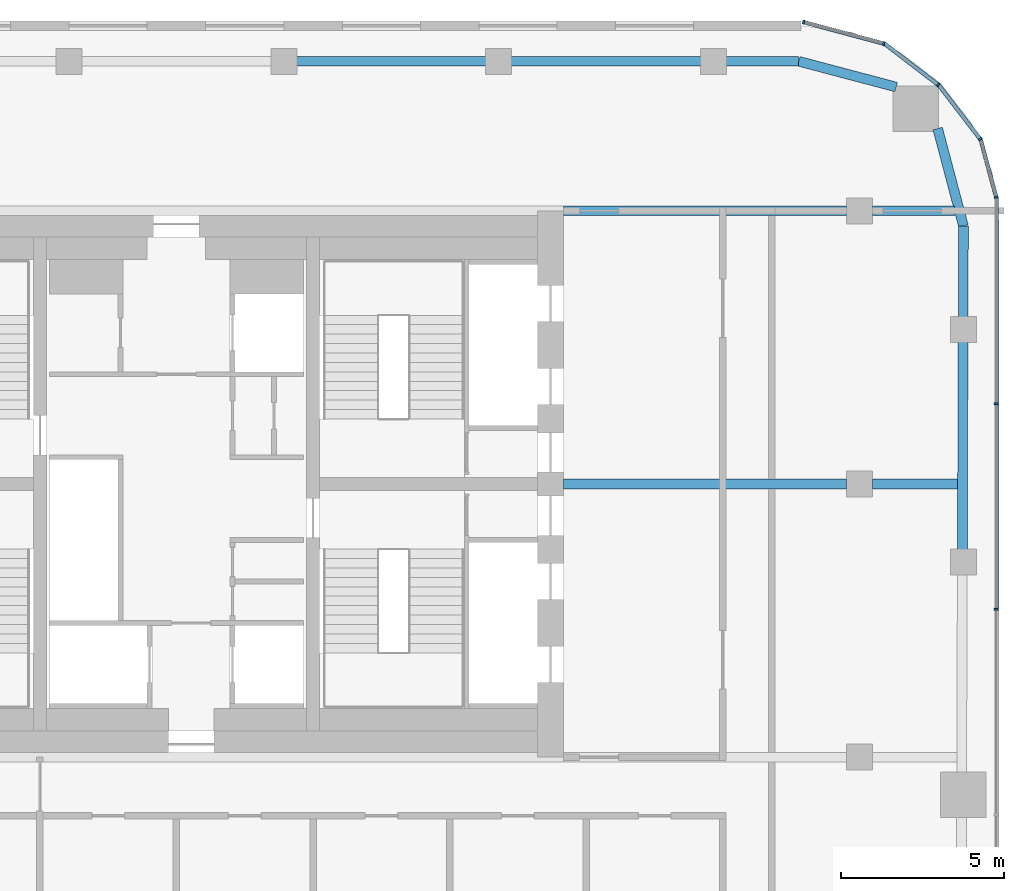
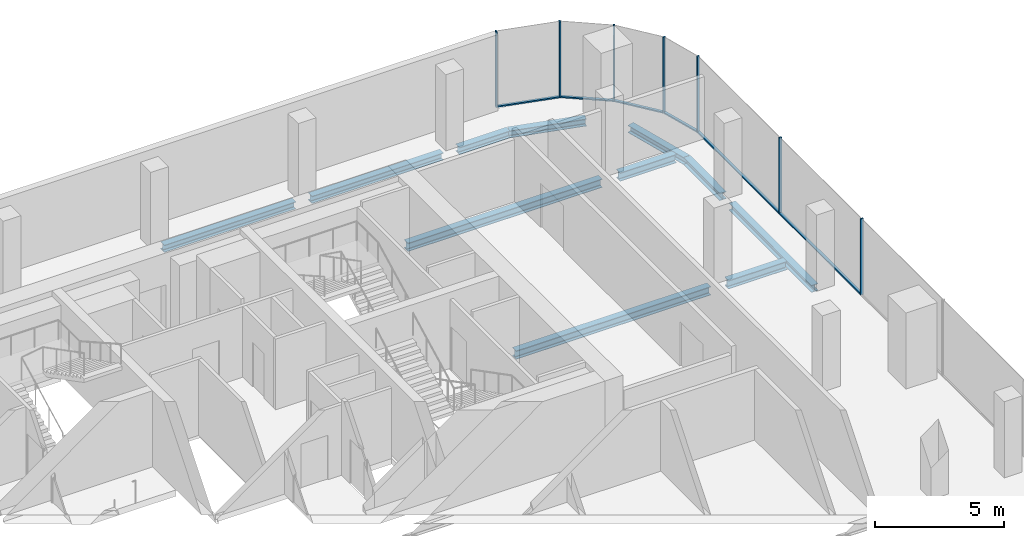
# One storey, part 11 of 20: 13 members, 11 beams, 5 elements without a shape of their own.
"""IFC4 building model written with IfcOpenShell, lengths in metres."""

from ifc_helpers import new_model, si_unit, direction, frame, origin, origin_2d, place, context, subcontext, project, spatial, rectangle, i_section, extrude, material, layer, layer_set, material_profile, profile_set, type_object, element, aggregate, save


model = new_model("IFC4")

# Units and contexts
model_context = context("Model", 3, precision=1e-05, world=origin(), true_north=direction((0.0, 1.0)))
body_context = subcontext(model_context, "Body", "Model", "MODEL_VIEW")
ifc_project = project(units=[si_unit("LENGTHUNIT", "METRE"), si_unit("AREAUNIT", "SQUARE_METRE"), si_unit("VOLUMEUNIT", "CUBIC_METRE"), si_unit("PLANEANGLEUNIT", "RADIAN"), si_unit("MASSUNIT", "GRAM", prefix="KILO")], contexts=[model_context])

# Site, building, storey
site_placement = place(None, origin())
site = spatial("IfcSite", under=ifc_project, at=site_placement, CompositionType="ELEMENT")
building_placement = place(site_placement, origin())
building = spatial("IfcBuilding", under=site, at=building_placement, Name="Marenta Gate Hotel Tower", CompositionType="ELEMENT")
storey_placement = place(building_placement, frame((0.0, 0.0, 216.5)))
storey = spatial("IfcBuildingStorey", under=building, at=storey_placement, Name="L50", CompositionType="ELEMENT", Elevation=216.5)

# Beams
ifc_material_1 = material(Name="Steel S355", Category="steel")
ifc_material_profile_1 = material_profile(ifc_material_1, i_section(OverallWidth=0.300048828125, OverallDepth=0.340087890625, WebThickness=0.011962890625, FlangeThickness=0.021484375, FilletRadius=0.027099609375, at=origin_2d()), Name="HEB 340")
ifc_profile_set_1 = profile_set([ifc_material_profile_1], Name="Steel S355")
beam_type_1 = type_object("IfcBeamType", Name="Edge beam HEB 340", PredefinedType="SPANDREL", material=ifc_profile_set_1)
for number, where, z_axis, x_axis, name in (
    (1, (3.661376953125, 21.39990234375, -0.429931640625), (1.0, 0.0, 0.0), (0.0, 1.0, 0.0), "L50-EB-17"),
    (2, (10.26416015625, 21.39990234375, -0.429931640625), (1.0, 0.0, 0.0), (0.0, 1.0, 0.0), "L50-EB-18"),
):
    element("IfcBeam", number, at=place(storey_placement, frame(where, z_axis=z_axis, x_axis=x_axis)), inside=storey, type_object=beam_type_1, Name=name, PredefinedType="SPANDREL", context=body_context, shape_type="SweptSolid", body=[
        extrude(i_section(OverallWidth=0.300048828125, OverallDepth=0.340087890625, WebThickness=0.011962890625, FlangeThickness=0.021484375, FilletRadius=0.027099609375, at=origin_2d()), origin(), (0.0, 0.0, 1.0), 5.8828125),
    ])
beam_1_placement = place(storey_placement, frame((16.866943359375, 21.39990234375, -0.429931640625), z_axis=(1.0, 0.0, 0.0), x_axis=(0.0, 1.0, 0.0)))
element("IfcBeam", 3, at=beam_1_placement, inside=storey, type_object=beam_type_1, Name="L50-EB-19", PredefinedType="SPANDREL", context=body_context, shape_type="SweptSolid", body=[
    extrude(i_section(OverallWidth=0.300048828125, OverallDepth=0.340087890625, WebThickness=0.011962890625, FlangeThickness=0.021484375, FilletRadius=0.027099609375, at=origin_2d()), origin(), (0.0, 0.0, 1.0), 2.267578125),
])
beam_2_placement = place(storey_placement, frame((19.134521484375, 21.39990234375, -0.429931640625), z_axis=(0.9667647815, -0.25566747398, 0.0), x_axis=(0.25566747398, 0.9667647815, 0.0)))
element("IfcBeam", 4, at=beam_2_placement, inside=storey, type_object=beam_type_1, Name="L50-EB-20", PredefinedType="SPANDREL", context=body_context, shape_type="SweptSolid", body=[
    extrude(i_section(OverallWidth=0.300048828125, OverallDepth=0.340087890625, WebThickness=0.011962890625, FlangeThickness=0.021484375, FilletRadius=0.027099609375, at=origin_2d()), origin(), (0.0, 0.0, 1.0), 3.1005859375),
])
beam_3_placement = place(storey_placement, frame((23.4072265625, 19.332275390625, -0.429931640625), z_axis=(0.255648013319, -0.966769927794, 0.0), x_axis=(0.966769927794, 0.255648013319, 0.0)))
element("IfcBeam", 5, at=beam_3_placement, inside=storey, type_object=beam_type_1, Name="L50-EB-21", PredefinedType="SPANDREL", context=body_context, shape_type="SweptSolid", body=[
    extrude(i_section(OverallWidth=0.300048828125, OverallDepth=0.340087890625, WebThickness=0.011962890625, FlangeThickness=0.021484375, FilletRadius=0.027099609375, at=origin_2d()), origin(), (0.0, 0.0, 1.0), 3.100830078125),
])
beam_4_placement = place(storey_placement, frame((24.199951171875, 16.33447265625, -0.429931640625), z_axis=(-0.003292020626, -0.999994581285, 0.0), x_axis=(0.999994581285, -0.003292020626, 0.0)))
element("IfcBeam", 6, at=beam_4_placement, inside=storey, type_object=beam_type_1, Name="L50-EB-22", PredefinedType="SPANDREL", context=body_context, shape_type="SweptSolid", body=[
    extrude(i_section(OverallWidth=0.300048828125, OverallDepth=0.340087890625, WebThickness=0.011962890625, FlangeThickness=0.021484375, FilletRadius=0.027099609375, at=origin_2d()), origin(), (0.0, 0.0, 1.0), 2.818115234375),
])
beam_5_placement = place(storey_placement, frame((24.188232421875, 12.79638671875, -0.429931640625), z_axis=(-0.00333963982, -0.999994423387, 0.0), x_axis=(0.999994423387, -0.00333963982, 0.0)))
element("IfcBeam", 7, at=beam_5_placement, inside=storey, type_object=beam_type_1, Name="L50-EB-23", PredefinedType="SPANDREL", context=body_context, shape_type="SweptSolid", body=[
    extrude(i_section(OverallWidth=0.300048828125, OverallDepth=0.340087890625, WebThickness=0.011962890625, FlangeThickness=0.021484375, FilletRadius=0.027099609375, at=origin_2d()), origin(), (0.0, 0.0, 1.0), 6.43310546875),
])
ifc_material_2 = material(Name="Steel S355", Category="steel")
ifc_material_profile_2 = material_profile(ifc_material_2, i_section(OverallWidth=0.300048828125, OverallDepth=0.39990234375, WebThickness=0.013427734375, FlangeThickness=0.02392578125, FilletRadius=0.027099609375, at=origin_2d()), Name="HEB 400")
ifc_profile_set_2 = profile_set([ifc_material_profile_2], Name="Steel S355")
beam_type_2 = type_object("IfcBeamType", Name="Girder HEB 400", PredefinedType="BEAM", material=ifc_profile_set_2)
beam_6_placement = place(storey_placement, frame((11.89990234375, 8.39990234375, -0.4599609375), z_axis=(1.0, 0.0, 0.0), x_axis=(0.0, 1.0, 0.0)))
element("IfcBeam", 8, at=beam_6_placement, inside=storey, type_object=beam_type_2, Name="L50-GD-27", PredefinedType="BEAM", context=body_context, shape_type="SweptSolid", body=[
    extrude(i_section(OverallWidth=0.300048828125, OverallDepth=0.39990234375, WebThickness=0.013427734375, FlangeThickness=0.02392578125, FilletRadius=0.027099609375, at=origin_2d()), origin(), (0.0, 0.0, 1.0), 8.7001953125),
])
beam_7_placement = place(storey_placement, frame((21.39990234375, 8.39990234375, -0.4599609375), z_axis=(1.0, 0.0, 0.0), x_axis=(0.0, 1.0, 0.0)))
element("IfcBeam", 9, at=beam_7_placement, inside=storey, type_object=beam_type_2, Name="L50-GD-28", PredefinedType="BEAM", context=body_context, shape_type="SweptSolid", body=[
    extrude(i_section(OverallWidth=0.300048828125, OverallDepth=0.39990234375, WebThickness=0.013427734375, FlangeThickness=0.02392578125, FilletRadius=0.027099609375, at=origin_2d()), origin(), (0.0, 0.0, 1.0), 2.623779296875),
])
beam_8_placement = place(storey_placement, frame((11.89990234375, 16.800048828125, -0.4599609375), z_axis=(1.0, 0.0, 0.0), x_axis=(0.0, 1.0, 0.0)))
element("IfcBeam", 10, at=beam_8_placement, inside=storey, type_object=beam_type_2, Name="L50-GD-32", PredefinedType="BEAM", context=body_context, shape_type="SweptSolid", body=[
    extrude(i_section(OverallWidth=0.300048828125, OverallDepth=0.39990234375, WebThickness=0.013427734375, FlangeThickness=0.02392578125, FilletRadius=0.027099609375, at=origin_2d()), origin(), (0.0, 0.0, 1.0), 8.7001953125),
])
beam_9_placement = place(storey_placement, frame((21.39990234375, 16.800048828125, -0.4599609375), z_axis=(1.0, 0.0, 0.0), x_axis=(0.0, 1.0, 0.0)))
element("IfcBeam", 11, at=beam_9_placement, inside=storey, type_object=beam_type_2, Name="L50-GD-33", PredefinedType="BEAM", context=body_context, shape_type="SweptSolid", body=[
    extrude(i_section(OverallWidth=0.300048828125, OverallDepth=0.39990234375, WebThickness=0.013427734375, FlangeThickness=0.02392578125, FilletRadius=0.027099609375, at=origin_2d()), origin(), (0.0, 0.0, 1.0), 2.521728515625),
])

# Curtain wall, members
ifc_material_3 = material(Name="Tinted insulated glass in bronze anodised frame", Category="glass")
ifc_layer = layer(ifc_material_3, 0.1201171875)
ifc_layer_set = layer_set([ifc_layer], Name="Tinted insulated glass in bronze anodised frame")
curtain_wall_type = type_object("IfcCurtainWallType", Name="Tower unitised curtain wall CW1", PredefinedType="NOTDEFINED", material=ifc_layer_set)
curtain_wall_1_placement = place(storey_placement, origin())
curtain_wall_1 = element("IfcCurtainWall", 12, at=curtain_wall_1_placement, inside=storey, type_object=curtain_wall_type, Name="CW1 run G11", PredefinedType="NOTDEFINED")
ifc_material_4 = material(Name="Bronze anodised aluminium", Category="aluminium")
ifc_material_profile_3 = material_profile(ifc_material_4, rectangle(XDim=0.1201171875, YDim=0.06005859375, at=origin_2d()), Name="Mullion CW1 60x120 bronze anodised aluminium")
ifc_profile_set_3 = profile_set([ifc_material_profile_3], Name="Bronze anodised aluminium")
member_type_1 = type_object("IfcMemberType", Name="Mullion CW1 60x120 bronze anodised aluminium", PredefinedType="MULLION", material=ifc_profile_set_3)
member_1_placement = place(storey_placement, frame((25.214111328125, 4.546630859375, 0.0), z_axis=(0.0, 0.0, 1.0), x_axis=(-1.0, 0.0, 0.0)))
member_1 = element("IfcMember", 13, at=member_1_placement, type_object=member_type_1, Name="CW1 mullion 5", PredefinedType="MULLION", context=body_context, shape_type="SweptSolid", body=[
    extrude(rectangle(XDim=0.1201171875, YDim=0.06005859375, at=origin_2d()), origin(), (0.0, 0.0, 1.0), 3.60009765625),
])
member_2_placement = place(storey_placement, frame((25.214111328125, 10.869384765625, 0.0), z_axis=(0.0, 0.0, 1.0), x_axis=(-1.0, 0.0, 0.0)))
member_2 = element("IfcMember", 14, at=member_2_placement, type_object=member_type_1, Name="CW1 mullion 6", PredefinedType="MULLION", context=body_context, shape_type="SweptSolid", body=[
    extrude(rectangle(XDim=0.1201171875, YDim=0.06005859375, at=origin_2d()), origin(), (0.0, 0.0, 1.0), 3.60009765625),
])

# Curtain wall, member
curtain_wall_2_placement = place(storey_placement, origin())
curtain_wall_2 = element("IfcCurtainWall", 15, at=curtain_wall_2_placement, inside=storey, type_object=curtain_wall_type, Name="CW1 run G12", PredefinedType="NOTDEFINED")
member_3_placement = place(storey_placement, frame((25.206298828125, 17.220947265625, 0.0), z_axis=(0.0, 0.0, 1.0), x_axis=(-0.965924453932, -0.258824166754, 0.0)))
member_3 = element("IfcMember", 16, at=member_3_placement, type_object=member_type_1, Name="CW1 mullion 1", PredefinedType="MULLION", context=body_context, shape_type="SweptSolid", body=[
    extrude(rectangle(XDim=0.1201171875, YDim=0.06005859375, at=origin_2d()), origin(), (0.0, 0.0, 1.0), 3.60009765625),
])

curtain_wall_3_placement = place(storey_placement, origin())
curtain_wall_3 = element("IfcCurtainWall", 17, at=curtain_wall_3_placement, inside=storey, type_object=curtain_wall_type, Name="CW1 run G13", PredefinedType="NOTDEFINED")
member_4_placement = place(storey_placement, frame((24.7158203125, 19.00634765625, 0.0), z_axis=(0.0, 0.0, 1.0), x_axis=(-0.793333335233, -0.608787499222, 0.0)))
member_4 = element("IfcMember", 18, at=member_4_placement, type_object=member_type_1, Name="CW1 mullion 1", PredefinedType="MULLION", context=body_context, shape_type="SweptSolid", body=[
    extrude(rectangle(XDim=0.1201171875, YDim=0.06005859375, at=origin_2d()), origin(), (0.0, 0.0, 1.0), 3.60009765625),
])

curtain_wall_4_placement = place(storey_placement, origin())
curtain_wall_4 = element("IfcCurtainWall", 19, at=curtain_wall_4_placement, inside=storey, type_object=curtain_wall_type, Name="CW1 run G14", PredefinedType="NOTDEFINED")
member_5_placement = place(storey_placement, frame((23.4287109375, 20.6708984375, 0.0), z_axis=(0.0, 0.0, 1.0), x_axis=(-0.608787499222, -0.793333335233, 0.0)))
member_5 = element("IfcMember", 20, at=member_5_placement, type_object=member_type_1, Name="CW1 mullion 1", PredefinedType="MULLION", context=body_context, shape_type="SweptSolid", body=[
    extrude(rectangle(XDim=0.1201171875, YDim=0.06005859375, at=origin_2d()), origin(), (0.0, 0.0, 1.0), 3.60009765625),
])

# Curtain wall, members
curtain_wall_5_placement = place(storey_placement, origin())
curtain_wall_5 = element("IfcCurtainWall", 21, at=curtain_wall_5_placement, inside=storey, type_object=curtain_wall_type, Name="CW1 run G15", PredefinedType="NOTDEFINED")
member_6_placement = place(storey_placement, frame((21.75341796875, 21.94189453125, 0.0), z_axis=(0.0, 0.0, 1.0), x_axis=(-0.258804895175, -0.96592961764, 0.0)))
member_6 = element("IfcMember", 22, at=member_6_placement, type_object=member_type_1, Name="CW1 mullion 1", PredefinedType="MULLION", context=body_context, shape_type="SweptSolid", body=[
    extrude(rectangle(XDim=0.1201171875, YDim=0.06005859375, at=origin_2d()), origin(), (0.0, 0.0, 1.0), 3.60009765625),
])
member_7_placement = place(storey_placement, frame((19.285400390625, 22.603271484375, 0.0), z_axis=(0.0, 0.0, 1.0), x_axis=(-0.258804895175, -0.96592961764, 0.0)))
member_7 = element("IfcMember", 23, at=member_7_placement, type_object=member_type_1, Name="CW1 mullion 2", PredefinedType="MULLION", context=body_context, shape_type="SweptSolid", body=[
    extrude(rectangle(XDim=0.1201171875, YDim=0.06005859375, at=origin_2d()), origin(), (0.0, 0.0, 1.0), 3.60009765625),
])

# Member
ifc_material_5 = material(Name="Bronze anodised aluminium", Category="aluminium")
ifc_material_profile_4 = material_profile(ifc_material_5, rectangle(XDim=0.1201171875, YDim=0.06005859375, at=origin_2d()), Name="Transom CW1 60x120 bronze anodised aluminium")
ifc_profile_set_4 = profile_set([ifc_material_profile_4], Name="Bronze anodised aluminium")
member_type_2 = type_object("IfcMemberType", Name="Transom CW1 60x120 bronze anodised aluminium", PredefinedType="USERDEFINED", material=ifc_profile_set_4)
member_8_placement = place(storey_placement, frame((25.214111328125, 4.57666015625, 0.030029296875), z_axis=(0.0, 1.0, 0.0), x_axis=(-1.0, 0.0, 0.0)))
member_8 = element("IfcMember", 24, at=member_8_placement, type_object=member_type_2, Name="CW1 transom 5.1", ObjectType="TRANSOM", PredefinedType="USERDEFINED", context=body_context, shape_type="SweptSolid", body=[
    extrude(rectangle(XDim=0.1201171875, YDim=0.06005859375, at=origin_2d()), origin(), (0.0, 0.0, 1.0), 6.2626953125),
])

member_9_placement = place(storey_placement, frame((25.214111328125, 10.899169921875, 0.030029296875), z_axis=(0.0, 1.0, 0.0), x_axis=(-1.0, 0.0, 0.0)))
member_9 = element("IfcMember", 25, at=member_9_placement, type_object=member_type_2, Name="CW1 transom 6.1", ObjectType="TRANSOM", PredefinedType="USERDEFINED", context=body_context, shape_type="SweptSolid", body=[
    extrude(rectangle(XDim=0.1201171875, YDim=0.06005859375, at=origin_2d()), origin(), (0.0, 0.0, 1.0), 6.292724609375),
])

aggregate(curtain_wall_1, [member_1, member_2, member_8, member_9])

member_10_placement = place(storey_placement, frame((25.198486328125, 17.249755859375, 0.030029296875), z_axis=(-0.258865341007, 0.96591342015, 0.0), x_axis=(-0.96591342015, -0.258865341007, 0.0)))
member_10 = element("IfcMember", 26, at=member_10_placement, type_object=member_type_2, Name="CW1 transom 1.1", ObjectType="TRANSOM", PredefinedType="USERDEFINED", context=body_context, shape_type="SweptSolid", body=[
    extrude(rectangle(XDim=0.1201171875, YDim=0.06005859375, at=origin_2d()), origin(), (0.0, 0.0, 1.0), 1.793701171875),
])

aggregate(curtain_wall_2, [member_3, member_10])

member_11_placement = place(storey_placement, frame((24.69775390625, 19.030029296875, 0.030029296875), z_axis=(-0.608787337271, 0.79333345951, 0.0), x_axis=(-0.79333345951, -0.608787337271, 0.0)))
member_11 = element("IfcMember", 27, at=member_11_placement, type_object=member_type_2, Name="CW1 transom 1.1", ObjectType="TRANSOM", PredefinedType="USERDEFINED", context=body_context, shape_type="SweptSolid", body=[
    extrude(rectangle(XDim=0.1201171875, YDim=0.06005859375, at=origin_2d()), origin(), (0.0, 0.0, 1.0), 2.045166015625),
])

aggregate(curtain_wall_3, [member_4, member_11])

member_12_placement = place(storey_placement, frame((23.405029296875, 20.689208984375, 0.030029296875), z_axis=(-0.793391112466, 0.60871220019, 0.0), x_axis=(-0.60871220019, -0.793391112466, 0.0)))
member_12 = element("IfcMember", 28, at=member_12_placement, type_object=member_type_2, Name="CW1 transom 1.1", ObjectType="TRANSOM", PredefinedType="USERDEFINED", context=body_context, shape_type="SweptSolid", body=[
    extrude(rectangle(XDim=0.1201171875, YDim=0.06005859375, at=origin_2d()), origin(), (0.0, 0.0, 1.0), 2.045166015625),
])

aggregate(curtain_wall_4, [member_5, member_12])

member_13_placement = place(storey_placement, frame((21.724609375, 21.94970703125, 0.030029296875), z_axis=(-0.965930582093, 0.258801295547, 0.0), x_axis=(-0.258801295547, -0.965930582093, 0.0)))
member_13 = element("IfcMember", 29, at=member_13_placement, type_object=member_type_2, Name="CW1 transom 1.1", ObjectType="TRANSOM", PredefinedType="USERDEFINED", context=body_context, shape_type="SweptSolid", body=[
    extrude(rectangle(XDim=0.1201171875, YDim=0.06005859375, at=origin_2d()), origin(), (0.0, 0.0, 1.0), 2.4951171875),
])

aggregate(curtain_wall_5, [member_6, member_7, member_13])

save(model, "model.ifc")
